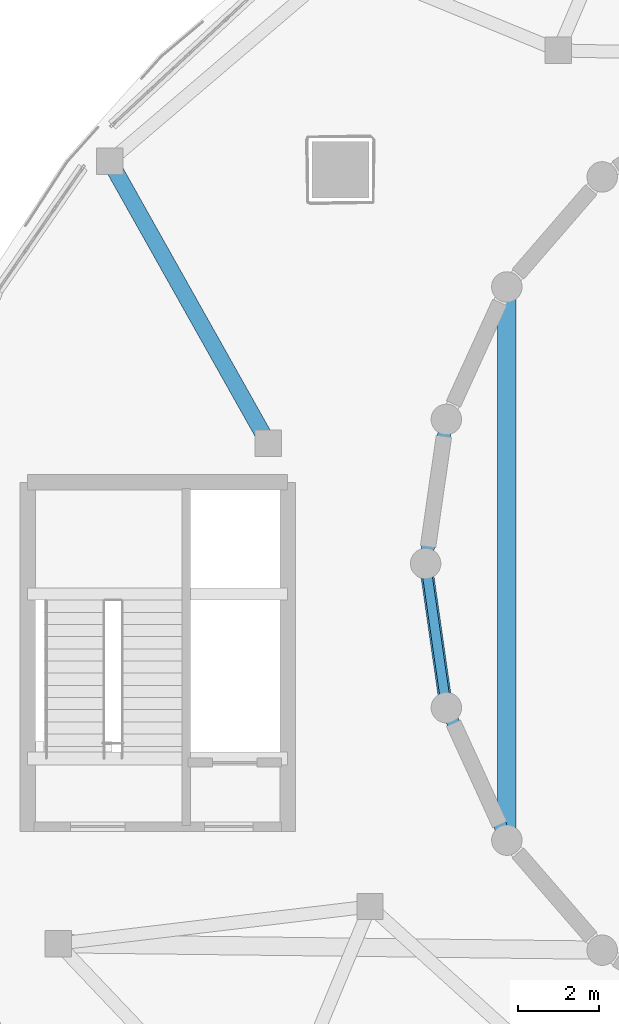
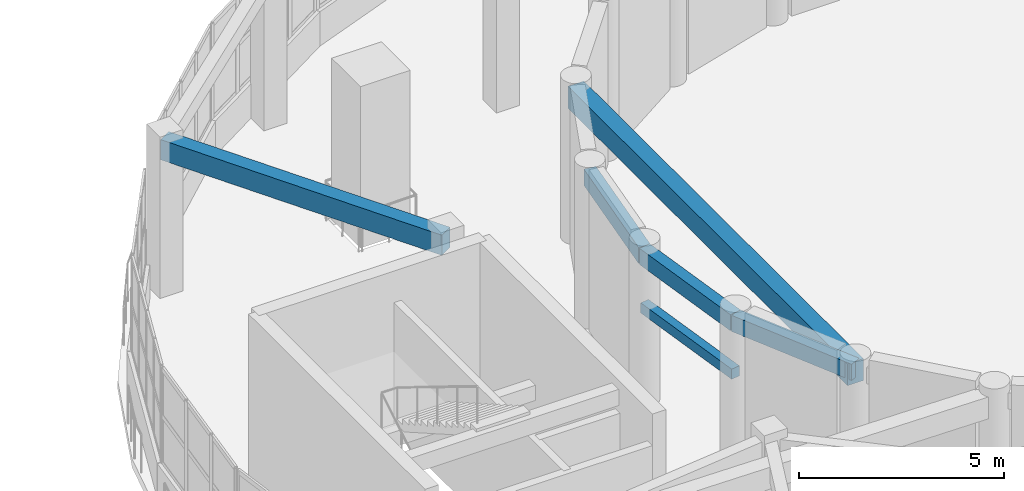
# One storey, part 48 of 105: 6 beams.
"""IFC4 building model written with IfcOpenShell, lengths in metres."""

from ifc_helpers import new_model, si_unit, direction, frame, origin, origin_2d, place, context, subcontext, project, spatial, rectangle, extrude, material, material_profile, profile_set, type_object, element, save


model = new_model("IFC4")

# Units and contexts
model_context = context("Model", 3, precision=1e-05, world=origin(), true_north=direction((0.0, 1.0)))
body_context = subcontext(model_context, "Body", "Model", "MODEL_VIEW")
ifc_project = project(units=[si_unit("LENGTHUNIT", "METRE"), si_unit("AREAUNIT", "SQUARE_METRE"), si_unit("VOLUMEUNIT", "CUBIC_METRE"), si_unit("PLANEANGLEUNIT", "RADIAN"), si_unit("MASSUNIT", "GRAM", prefix="KILO")], contexts=[model_context])

# Site, building, storey
site_placement = place(None, origin())
site = spatial("IfcSite", under=ifc_project, at=site_placement, CompositionType="ELEMENT")
building_placement = place(site_placement, origin())
building = spatial("IfcBuilding", under=site, at=building_placement, Name="Pelvatis Terrace Science Centre", CompositionType="ELEMENT")
storey_placement = place(building_placement, frame((0.0, 0.0, 10.199951171875)))
storey = spatial("IfcBuildingStorey", under=building, at=storey_placement, Name="L02", CompositionType="ELEMENT", Elevation=10.199951171875)

# Beams
ifc_material_1 = material(Name="Concrete C35/45", Category="concrete")
ifc_material_profile_1 = material_profile(ifc_material_1, rectangle(XDim=0.320068359375, YDim=0.47998046875, at=origin_2d()), Name="RC-BM 320x480")
ifc_profile_set_1 = profile_set([ifc_material_profile_1], Name="Concrete C35/45")
beam_type_1 = type_object("IfcBeamType", Name="BM-RC-320x480", PredefinedType="BEAM", material=ifc_profile_set_1)
for number, where, z_axis, x_axis, name in (
    (1, (97.1103515625, 89.349853515625, 4.300048828125), (-0.142279062089, -0.98982658506, 0.0), (0.98982658506, -0.142279062089, 0.0), "Beam BM-L02-2861"),
    (2, (96.60009765625, 85.800048828125, 4.300048828125), (0.142279062089, -0.98982658506, 0.0), (0.98982658506, 0.142279062089, 0.0), "Beam BM-L02-2862"),
):
    element("IfcBeam", number, at=place(storey_placement, frame(where, z_axis=z_axis, x_axis=x_axis)), inside=storey, type_object=beam_type_1, Name=name, PredefinedType="BEAM", context=body_context, shape_type="SweptSolid", body=[
        extrude(rectangle(XDim=0.320068359375, YDim=0.47998046875, at=origin_2d()), origin(), (0.0, 0.0, 1.0), 3.586181640625),
    ])
beam_1_placement = place(storey_placement, frame((97.1103515625, 82.250244140625, 4.300048828125), z_axis=(0.415376845768, -0.909649424778, 0.0), x_axis=(0.909649424778, 0.415376845768, 0.0)))
element("IfcBeam", 3, at=beam_1_placement, inside=storey, type_object=beam_type_1, Name="Beam BM-L02-2863", PredefinedType="BEAM", context=body_context, shape_type="SweptSolid", body=[
    extrude(rectangle(XDim=0.320068359375, YDim=0.47998046875, at=origin_2d()), origin(), (0.0, 0.0, 1.0), 3.58642578125),
])
ifc_material_2 = material(Name="Concrete C35/45", Category="concrete")
ifc_material_profile_2 = material_profile(ifc_material_2, rectangle(XDim=0.39990234375, YDim=0.60009765625, at=origin_2d()), Name="RC-BM 400x600")
ifc_profile_set_2 = profile_set([ifc_material_profile_2], Name="Concrete C35/45")
beam_type_2 = type_object("IfcBeamType", Name="BM-RC-400x600", PredefinedType="BEAM", material=ifc_profile_set_2)
beam_2_placement = place(storey_placement, frame((88.8203125, 95.71142578125, 4.239990234375), z_axis=(0.489826177205, -0.871820116839, 0.0), x_axis=(0.871820116839, 0.489826177205, 0.0)))
element("IfcBeam", 4, at=beam_2_placement, inside=storey, type_object=beam_type_2, Name="Beam BM-L02-2907", PredefinedType="BEAM", context=body_context, shape_type="SweptSolid", body=[
    extrude(rectangle(XDim=0.39990234375, YDim=0.60009765625, at=origin_2d()), origin(), (0.0, 0.0, 1.0), 7.96728515625),
])
ifc_material_3 = material(Name="Concrete C35/45", Category="concrete")
ifc_material_profile_3 = material_profile(ifc_material_3, rectangle(XDim=0.449951171875, YDim=0.64990234375, at=origin_2d()), Name="RC-BM 450x650")
ifc_profile_set_3 = profile_set([ifc_material_profile_3], Name="Concrete C35/45")
beam_type_3 = type_object("IfcBeamType", Name="BM-RC-450x650", PredefinedType="BEAM", material=ifc_profile_set_3)
beam_3_placement = place(storey_placement, frame((98.60009765625, 92.612060546875, 4.215087890625), z_axis=(0.0, -1.0, 0.0), x_axis=(1.0, 0.0, 0.0)))
element("IfcBeam", 5, at=beam_3_placement, inside=storey, type_object=beam_type_3, Name="Beam BM-L02-2860", PredefinedType="BEAM", context=body_context, shape_type="SweptSolid", body=[
    extrude(rectangle(XDim=0.449951171875, YDim=0.64990234375, at=origin_2d()), origin(), (0.0, 0.0, 1.0), 13.624267578125),
])
ifc_material_4 = material(Name="Concrete C35/45", Category="concrete")
ifc_material_profile_4 = material_profile(ifc_material_4, rectangle(XDim=0.239990234375, YDim=0.300048828125, at=origin_2d()), Name="RC-LNT 240x300")
ifc_profile_set_4 = profile_set([ifc_material_profile_4], Name="Concrete C35/45")
beam_type_4 = type_object("IfcBeamType", Name="LNT-RC-240x300", PredefinedType="LINTEL", material=ifc_profile_set_4)
beam_4_placement = place(storey_placement, frame((96.60009765625, 85.800048828125, 2.75), z_axis=(0.142279062089, -0.98982658506, 0.0), x_axis=(0.98982658506, 0.142279062089, 0.0)))
element("IfcBeam", 6, at=beam_4_placement, inside=storey, type_object=beam_type_4, Name="Planetarium portal structural lintel 12 (L02)", PredefinedType="LINTEL", context=body_context, shape_type="SweptSolid", body=[
    extrude(rectangle(XDim=0.239990234375, YDim=0.300048828125, at=origin_2d()), origin(), (0.0, 0.0, 1.0), 3.586181640625),
])

save(model, "model.ifc")
